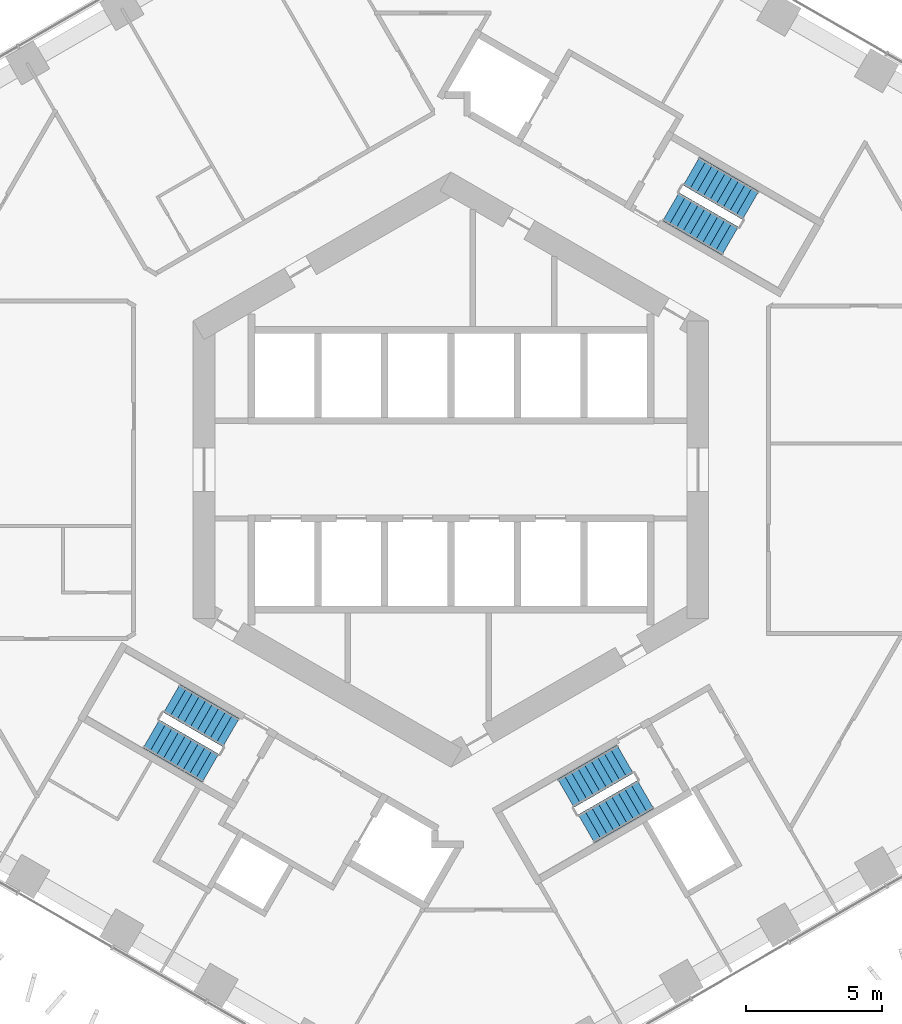
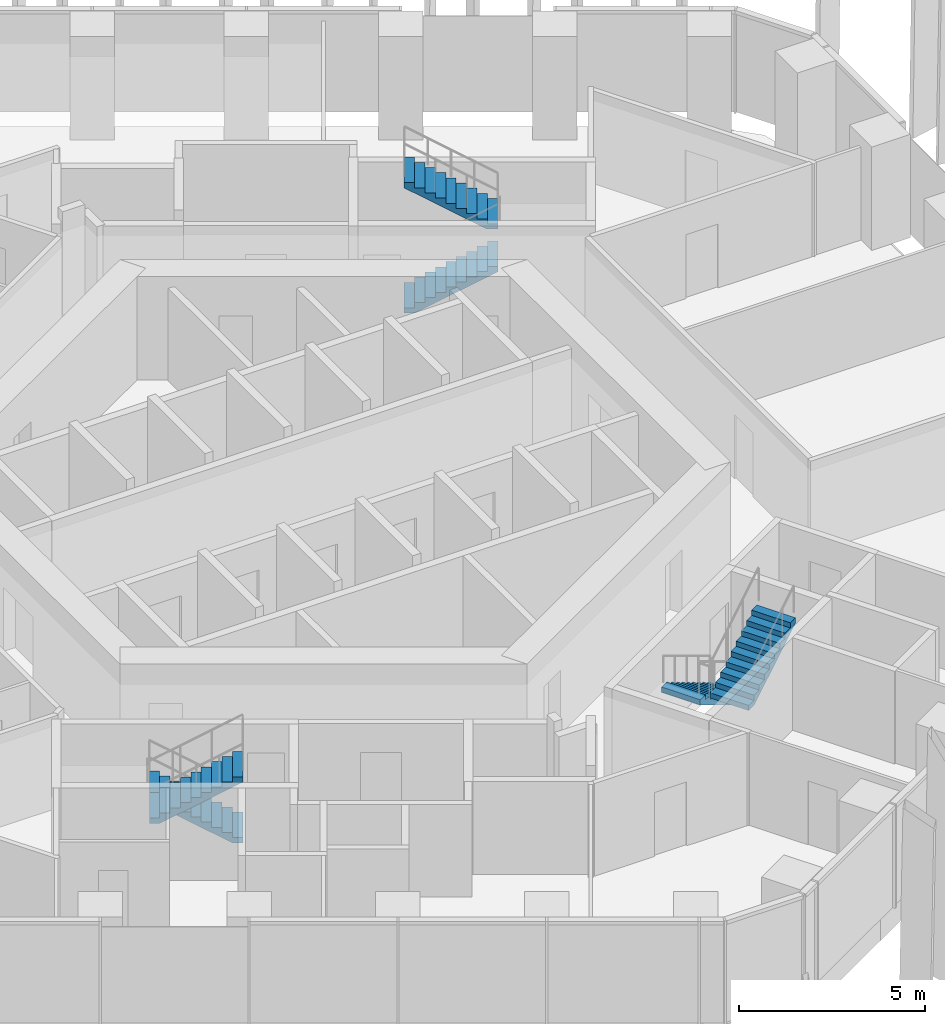
# One storey, part 17 of 20: 6 stair flights, 3 elements without a shape of their own.
"""IFC4 building model written with IfcOpenShell, lengths in metres."""

from ifc_helpers import new_model, si_unit, direction, frame, origin, place, context, subcontext, project, spatial, triangles, material, type_object, element, aggregate, save


model = new_model("IFC4")

# Units and contexts
model_context = context("Model", 3, precision=1e-05, world=origin(), true_north=direction((0.0, 1.0)))
body_context = subcontext(model_context, "Body", "Model", "MODEL_VIEW")
ifc_project = project(units=[si_unit("LENGTHUNIT", "METRE"), si_unit("AREAUNIT", "SQUARE_METRE"), si_unit("VOLUMEUNIT", "CUBIC_METRE"), si_unit("PLANEANGLEUNIT", "RADIAN"), si_unit("MASSUNIT", "GRAM", prefix="KILO")], contexts=[model_context])

# Site, building, storey
site_placement = place(None, origin())
site = spatial("IfcSite", under=ifc_project, at=site_placement, CompositionType="ELEMENT")
building_placement = place(site_placement, origin())
building = spatial("IfcBuilding", under=site, at=building_placement, Name="Ayvan Gate Tower", CompositionType="ELEMENT")
storey_placement = place(building_placement, frame((0.0, 0.0, 35.699951171875)))
storey = spatial("IfcBuildingStorey", under=building, at=storey_placement, Name="L08", CompositionType="ELEMENT", Elevation=35.699951171875)

# Stair, stair flights
ifc_material = material(Name="Concrete C40/50", Category="concrete")
stair_type = type_object("IfcStairType", Name="ST-EXIT", PredefinedType="HALF_TURN_STAIR", material=ifc_material)
stair_1_placement = place(storey_placement, origin())
stair_1 = element("IfcStair", 1, at=stair_1_placement, inside=storey, type_object=stair_type, Name="L08 Exit Stair S1", PredefinedType="HALF_TURN_STAIR")
stair_flight_type = type_object("IfcStairFlightType", Name="SFL-EXIT", PredefinedType="STRAIGHT", material=ifc_material)
stair_flight_1_placement = place(storey_placement, frame((8.106201171875, 9.690185546875, 0.0), z_axis=(0.0, 0.0, 1.0), x_axis=(0.866025403784, -0.5, 0.0)))
stair_flight_1 = element("IfcStairFlight", 2, at=stair_flight_1_placement, type_object=stair_flight_type, Name="STS1 flight 1", NumberOfRisers=10, NumberOfTreads=9, PredefinedType="STRAIGHT", RiserHeight=0.17, TreadLength=0.28, context=body_context, shape_type="Tessellation", body=[
    triangles([(0.288841, -0.599976, 0.0), (2.5205, -0.599976, 1.354936), (2.5205, -0.599976, 1.53), (2.24, -0.599976, 1.53), (2.24, -0.599976, 1.36), (1.96, -0.599976, 1.36), (1.96, -0.599976, 1.19), (1.68, -0.599976, 1.19), (1.68, -0.599976, 1.02), (1.4, -0.599976, 1.02), (1.4, -0.599976, 0.85), (1.12, -0.599976, 0.85), (1.12, -0.599976, 0.68), (0.84, -0.599976, 0.68), (0.84, -0.599976, 0.51), (0.56, -0.599976, 0.51), (0.56, -0.599976, 0.34), (0.28, -0.599976, 0.34), (0.28, -0.599976, 0.17), (-0.0005, -0.599976, 0.17), (-0.0005, -0.599976, 0.0), (0.288841, 0.0, 0.0), (2.5205, 0.0, 1.354936), (2.5205, 0.0, 1.53), (2.24, 0.0, 1.53), (2.24, 0.0, 1.36), (1.96, 0.0, 1.36), (1.96, 0.0, 1.19), (1.68, 0.0, 1.19), (1.68, 0.0, 1.02), (1.4, 0.0, 1.02), (1.4, 0.0, 0.85), (1.12, 0.0, 0.85), (1.12, 0.0, 0.68), (0.84, 0.0, 0.68), (0.84, 0.0, 0.51), (0.56, 0.0, 0.51), (0.56, 0.0, 0.34), (0.28, 0.0, 0.34), (0.28, 0.0, 0.17), (-0.0005, 0.0, 0.17), (-0.0005, 0.0, 0.0), (0.288841, 0.599976, 0.0), (2.5205, 0.599976, 1.354936), (2.5205, 0.599976, 1.53), (2.24, 0.599976, 1.53), (2.24, 0.599976, 1.36), (1.96, 0.599976, 1.36), (1.96, 0.599976, 1.19), (1.68, 0.599976, 1.19), (1.68, 0.599976, 1.02), (1.4, 0.599976, 1.02), (1.4, 0.599976, 0.85), (1.12, 0.599976, 0.85), (1.12, 0.599976, 0.68), (0.84, 0.599976, 0.68), (0.84, 0.599976, 0.51), (0.56, 0.599976, 0.51), (0.56, 0.599976, 0.34), (0.28, 0.599976, 0.34), (0.28, 0.599976, 0.17), (-0.0005, 0.599976, 0.17), (-0.0005, 0.599976, 0.0)], [[21, 1, 2], [63, 44, 43], [2, 3, 4], [44, 46, 45], [2, 4, 5], [44, 47, 46], [2, 5, 6], [44, 48, 47], [2, 6, 7], [44, 49, 48], [7, 8, 9], [49, 51, 50], [2, 7, 9], [44, 51, 49], [9, 10, 11], [51, 53, 52], [2, 9, 11], [44, 53, 51], [11, 12, 13], [53, 55, 54], [2, 11, 13], [44, 55, 53], [13, 14, 15], [55, 57, 56], [2, 13, 15], [44, 57, 55], [15, 16, 17], [57, 59, 58], [2, 15, 17], [44, 59, 57], [17, 18, 19], [59, 61, 60], [2, 17, 19], [44, 61, 59], [21, 2, 19], [63, 61, 44], [19, 20, 21], [61, 63, 62], [1, 22, 23], [1, 23, 2], [43, 23, 22], [43, 44, 23], [2, 23, 24], [2, 24, 3], [44, 24, 23], [44, 45, 24], [3, 24, 25], [3, 25, 4], [45, 25, 24], [45, 46, 25], [4, 25, 26], [4, 26, 5], [46, 26, 25], [46, 47, 26], [5, 26, 27], [5, 27, 6], [47, 27, 26], [47, 48, 27], [6, 27, 28], [6, 28, 7], [48, 28, 27], [48, 49, 28], [7, 28, 29], [7, 29, 8], [49, 29, 28], [49, 50, 29], [8, 29, 30], [8, 30, 9], [50, 30, 29], [50, 51, 30], [9, 30, 31], [9, 31, 10], [51, 31, 30], [51, 52, 31], [10, 31, 32], [10, 32, 11], [52, 32, 31], [52, 53, 32], [11, 32, 33], [11, 33, 12], [53, 33, 32], [53, 54, 33], [12, 33, 34], [12, 34, 13], [54, 34, 33], [54, 55, 34], [13, 34, 35], [13, 35, 14], [55, 35, 34], [55, 56, 35], [14, 35, 36], [14, 36, 15], [56, 36, 35], [56, 57, 36], [15, 36, 37], [15, 37, 16], [57, 37, 36], [57, 58, 37], [16, 37, 38], [16, 38, 17], [58, 38, 37], [58, 59, 38], [17, 38, 39], [17, 39, 18], [59, 39, 38], [59, 60, 39], [18, 39, 40], [18, 40, 19], [60, 40, 39], [60, 61, 40], [19, 40, 41], [19, 41, 20], [61, 41, 40], [61, 62, 41], [20, 41, 42], [20, 42, 21], [62, 42, 41], [62, 63, 42], [21, 42, 22], [21, 22, 1], [63, 22, 42], [63, 43, 22]], closed=True),
])
stair_flight_2_placement = place(storey_placement, frame((11.04345703125, 9.73779296875, 1.699951171875), z_axis=(0.0, 0.0, 1.0), x_axis=(-0.866025403784, 0.5, 0.0)))
stair_flight_2 = element("IfcStairFlight", 3, at=stair_flight_2_placement, type_object=stair_flight_type, Name="STS1 flight 2", NumberOfRisers=10, NumberOfTreads=9, PredefinedType="STRAIGHT", RiserHeight=0.17, TreadLength=0.28, context=body_context, shape_type="Tessellation", body=[
    triangles([(0.288841, -0.599976, 0.0), (2.5205, -0.599976, 1.354936), (2.5205, -0.599976, 1.53), (2.24, -0.599976, 1.53), (2.24, -0.599976, 1.36), (1.96, -0.599976, 1.36), (1.96, -0.599976, 1.19), (1.68, -0.599976, 1.19), (1.68, -0.599976, 1.02), (1.4, -0.599976, 1.02), (1.4, -0.599976, 0.85), (1.12, -0.599976, 0.85), (1.12, -0.599976, 0.68), (0.84, -0.599976, 0.68), (0.84, -0.599976, 0.51), (0.56, -0.599976, 0.51), (0.56, -0.599976, 0.34), (0.28, -0.599976, 0.34), (0.28, -0.599976, 0.17), (-0.0005, -0.599976, 0.17), (-0.0005, -0.599976, 0.0), (0.288841, 0.0, 0.0), (2.5205, 0.0, 1.354936), (2.5205, 0.0, 1.53), (2.24, 0.0, 1.53), (2.24, 0.0, 1.36), (1.96, 0.0, 1.36), (1.96, 0.0, 1.19), (1.68, 0.0, 1.19), (1.68, 0.0, 1.02), (1.4, 0.0, 1.02), (1.4, 0.0, 0.85), (1.12, 0.0, 0.85), (1.12, 0.0, 0.68), (0.84, 0.0, 0.68), (0.84, 0.0, 0.51), (0.56, 0.0, 0.51), (0.56, 0.0, 0.34), (0.28, 0.0, 0.34), (0.28, 0.0, 0.17), (-0.0005, 0.0, 0.17), (-0.0005, 0.0, 0.0), (0.288841, 0.599976, 0.0), (2.5205, 0.599976, 1.354936), (2.5205, 0.599976, 1.53), (2.24, 0.599976, 1.53), (2.24, 0.599976, 1.36), (1.96, 0.599976, 1.36), (1.96, 0.599976, 1.19), (1.68, 0.599976, 1.19), (1.68, 0.599976, 1.02), (1.4, 0.599976, 1.02), (1.4, 0.599976, 0.85), (1.12, 0.599976, 0.85), (1.12, 0.599976, 0.68), (0.84, 0.599976, 0.68), (0.84, 0.599976, 0.51), (0.56, 0.599976, 0.51), (0.56, 0.599976, 0.34), (0.28, 0.599976, 0.34), (0.28, 0.599976, 0.17), (-0.0005, 0.599976, 0.17), (-0.0005, 0.599976, 0.0)], [[21, 1, 2], [63, 44, 43], [2, 3, 4], [44, 46, 45], [2, 4, 5], [44, 47, 46], [2, 5, 6], [44, 48, 47], [2, 6, 7], [44, 49, 48], [7, 8, 9], [49, 51, 50], [2, 7, 9], [44, 51, 49], [9, 10, 11], [51, 53, 52], [2, 9, 11], [44, 53, 51], [11, 12, 13], [53, 55, 54], [2, 11, 13], [44, 55, 53], [13, 14, 15], [55, 57, 56], [2, 13, 15], [44, 57, 55], [15, 16, 17], [57, 59, 58], [2, 15, 17], [44, 59, 57], [17, 18, 19], [59, 61, 60], [2, 17, 19], [44, 61, 59], [21, 2, 19], [63, 61, 44], [19, 20, 21], [61, 63, 62], [1, 22, 23], [1, 23, 2], [43, 23, 22], [43, 44, 23], [2, 23, 24], [2, 24, 3], [44, 24, 23], [44, 45, 24], [3, 24, 25], [3, 25, 4], [45, 25, 24], [45, 46, 25], [4, 25, 26], [4, 26, 5], [46, 26, 25], [46, 47, 26], [5, 26, 27], [5, 27, 6], [47, 27, 26], [47, 48, 27], [6, 27, 28], [6, 28, 7], [48, 28, 27], [48, 49, 28], [7, 28, 29], [7, 29, 8], [49, 29, 28], [49, 50, 29], [8, 29, 30], [8, 30, 9], [50, 30, 29], [50, 51, 30], [9, 30, 31], [9, 31, 10], [51, 31, 30], [51, 52, 31], [10, 31, 32], [10, 32, 11], [52, 32, 31], [52, 53, 32], [11, 32, 33], [11, 33, 12], [53, 33, 32], [53, 54, 33], [12, 33, 34], [12, 34, 13], [54, 34, 33], [54, 55, 34], [13, 34, 35], [13, 35, 14], [55, 35, 34], [55, 56, 35], [14, 35, 36], [14, 36, 15], [56, 36, 35], [56, 57, 36], [15, 36, 37], [15, 37, 16], [57, 37, 36], [57, 58, 37], [16, 37, 38], [16, 38, 17], [58, 38, 37], [58, 59, 38], [17, 38, 39], [17, 39, 18], [59, 39, 38], [59, 60, 39], [18, 39, 40], [18, 40, 19], [60, 40, 39], [60, 61, 40], [19, 40, 41], [19, 41, 20], [61, 41, 40], [61, 62, 41], [20, 41, 42], [20, 42, 21], [62, 42, 41], [62, 63, 42], [21, 42, 22], [21, 22, 1], [63, 22, 42], [63, 43, 22]], closed=True),
])
aggregate(stair_1, [stair_flight_1, stair_flight_2])

stair_2_placement = place(storey_placement, origin())
stair_2 = element("IfcStair", 4, at=stair_2_placement, inside=storey, type_object=stair_type, Name="L08 Exit Stair S2", PredefinedType="HALF_TURN_STAIR")
stair_flight_3_placement = place(storey_placement, frame((-8.106201171875, -9.690185546875, 0.0), z_axis=(0.0, 0.0, 1.0), x_axis=(-0.866025403784, 0.5, 0.0)))
stair_flight_3 = element("IfcStairFlight", 5, at=stair_flight_3_placement, type_object=stair_flight_type, Name="STS2 flight 1", NumberOfRisers=10, NumberOfTreads=9, PredefinedType="STRAIGHT", RiserHeight=0.17, TreadLength=0.28, context=body_context, shape_type="Tessellation", body=[
    triangles([(0.288841, -0.599976, 0.0), (2.5205, -0.599976, 1.354936), (2.5205, -0.599976, 1.53), (2.24, -0.599976, 1.53), (2.24, -0.599976, 1.36), (1.96, -0.599976, 1.36), (1.96, -0.599976, 1.19), (1.68, -0.599976, 1.19), (1.68, -0.599976, 1.02), (1.4, -0.599976, 1.02), (1.4, -0.599976, 0.85), (1.12, -0.599976, 0.85), (1.12, -0.599976, 0.68), (0.84, -0.599976, 0.68), (0.84, -0.599976, 0.51), (0.56, -0.599976, 0.51), (0.56, -0.599976, 0.34), (0.28, -0.599976, 0.34), (0.28, -0.599976, 0.17), (-0.0005, -0.599976, 0.17), (-0.0005, -0.599976, 0.0), (0.288841, 0.0, 0.0), (2.5205, 0.0, 1.354936), (2.5205, 0.0, 1.53), (2.24, 0.0, 1.53), (2.24, 0.0, 1.36), (1.96, 0.0, 1.36), (1.96, 0.0, 1.19), (1.68, 0.0, 1.19), (1.68, 0.0, 1.02), (1.4, 0.0, 1.02), (1.4, 0.0, 0.85), (1.12, 0.0, 0.85), (1.12, 0.0, 0.68), (0.84, 0.0, 0.68), (0.84, 0.0, 0.51), (0.56, 0.0, 0.51), (0.56, 0.0, 0.34), (0.28, 0.0, 0.34), (0.28, 0.0, 0.17), (-0.0005, 0.0, 0.17), (-0.0005, 0.0, 0.0), (0.288841, 0.599976, 0.0), (2.5205, 0.599976, 1.354936), (2.5205, 0.599976, 1.53), (2.24, 0.599976, 1.53), (2.24, 0.599976, 1.36), (1.96, 0.599976, 1.36), (1.96, 0.599976, 1.19), (1.68, 0.599976, 1.19), (1.68, 0.599976, 1.02), (1.4, 0.599976, 1.02), (1.4, 0.599976, 0.85), (1.12, 0.599976, 0.85), (1.12, 0.599976, 0.68), (0.84, 0.599976, 0.68), (0.84, 0.599976, 0.51), (0.56, 0.599976, 0.51), (0.56, 0.599976, 0.34), (0.28, 0.599976, 0.34), (0.28, 0.599976, 0.17), (-0.0005, 0.599976, 0.17), (-0.0005, 0.599976, 0.0)], [[21, 1, 2], [63, 44, 43], [2, 3, 4], [44, 46, 45], [2, 4, 5], [44, 47, 46], [2, 5, 6], [44, 48, 47], [2, 6, 7], [44, 49, 48], [7, 8, 9], [49, 51, 50], [2, 7, 9], [44, 51, 49], [9, 10, 11], [51, 53, 52], [2, 9, 11], [44, 53, 51], [11, 12, 13], [53, 55, 54], [2, 11, 13], [44, 55, 53], [13, 14, 15], [55, 57, 56], [2, 13, 15], [44, 57, 55], [15, 16, 17], [57, 59, 58], [2, 15, 17], [44, 59, 57], [17, 18, 19], [59, 61, 60], [2, 17, 19], [44, 61, 59], [21, 2, 19], [63, 61, 44], [19, 20, 21], [61, 63, 62], [1, 22, 23], [1, 23, 2], [43, 23, 22], [43, 44, 23], [2, 23, 24], [2, 24, 3], [44, 24, 23], [44, 45, 24], [3, 24, 25], [3, 25, 4], [45, 25, 24], [45, 46, 25], [4, 25, 26], [4, 26, 5], [46, 26, 25], [46, 47, 26], [5, 26, 27], [5, 27, 6], [47, 27, 26], [47, 48, 27], [6, 27, 28], [6, 28, 7], [48, 28, 27], [48, 49, 28], [7, 28, 29], [7, 29, 8], [49, 29, 28], [49, 50, 29], [8, 29, 30], [8, 30, 9], [50, 30, 29], [50, 51, 30], [9, 30, 31], [9, 31, 10], [51, 31, 30], [51, 52, 31], [10, 31, 32], [10, 32, 11], [52, 32, 31], [52, 53, 32], [11, 32, 33], [11, 33, 12], [53, 33, 32], [53, 54, 33], [12, 33, 34], [12, 34, 13], [54, 34, 33], [54, 55, 34], [13, 34, 35], [13, 35, 14], [55, 35, 34], [55, 56, 35], [14, 35, 36], [14, 36, 15], [56, 36, 35], [56, 57, 36], [15, 36, 37], [15, 37, 16], [57, 37, 36], [57, 58, 37], [16, 37, 38], [16, 38, 17], [58, 38, 37], [58, 59, 38], [17, 38, 39], [17, 39, 18], [59, 39, 38], [59, 60, 39], [18, 39, 40], [18, 40, 19], [60, 40, 39], [60, 61, 40], [19, 40, 41], [19, 41, 20], [61, 41, 40], [61, 62, 41], [20, 41, 42], [20, 42, 21], [62, 42, 41], [62, 63, 42], [21, 42, 22], [21, 22, 1], [63, 22, 42], [63, 43, 22]], closed=True),
])
stair_flight_4_placement = place(storey_placement, frame((-11.04345703125, -9.73779296875, 1.699951171875), z_axis=(0.0, 0.0, 1.0), x_axis=(0.866025403784, -0.5, 0.0)))
stair_flight_4 = element("IfcStairFlight", 6, at=stair_flight_4_placement, type_object=stair_flight_type, Name="STS2 flight 2", NumberOfRisers=10, NumberOfTreads=9, PredefinedType="STRAIGHT", RiserHeight=0.17, TreadLength=0.28, context=body_context, shape_type="Tessellation", body=[
    triangles([(0.288841, -0.599976, 0.0), (2.5205, -0.599976, 1.354936), (2.5205, -0.599976, 1.53), (2.24, -0.599976, 1.53), (2.24, -0.599976, 1.36), (1.96, -0.599976, 1.36), (1.96, -0.599976, 1.19), (1.68, -0.599976, 1.19), (1.68, -0.599976, 1.02), (1.4, -0.599976, 1.02), (1.4, -0.599976, 0.85), (1.12, -0.599976, 0.85), (1.12, -0.599976, 0.68), (0.84, -0.599976, 0.68), (0.84, -0.599976, 0.51), (0.56, -0.599976, 0.51), (0.56, -0.599976, 0.34), (0.28, -0.599976, 0.34), (0.28, -0.599976, 0.17), (-0.0005, -0.599976, 0.17), (-0.0005, -0.599976, 0.0), (0.288841, 0.0, 0.0), (2.5205, 0.0, 1.354936), (2.5205, 0.0, 1.53), (2.24, 0.0, 1.53), (2.24, 0.0, 1.36), (1.96, 0.0, 1.36), (1.96, 0.0, 1.19), (1.68, 0.0, 1.19), (1.68, 0.0, 1.02), (1.4, 0.0, 1.02), (1.4, 0.0, 0.85), (1.12, 0.0, 0.85), (1.12, 0.0, 0.68), (0.84, 0.0, 0.68), (0.84, 0.0, 0.51), (0.56, 0.0, 0.51), (0.56, 0.0, 0.34), (0.28, 0.0, 0.34), (0.28, 0.0, 0.17), (-0.0005, 0.0, 0.17), (-0.0005, 0.0, 0.0), (0.288841, 0.599976, 0.0), (2.5205, 0.599976, 1.354936), (2.5205, 0.599976, 1.53), (2.24, 0.599976, 1.53), (2.24, 0.599976, 1.36), (1.96, 0.599976, 1.36), (1.96, 0.599976, 1.19), (1.68, 0.599976, 1.19), (1.68, 0.599976, 1.02), (1.4, 0.599976, 1.02), (1.4, 0.599976, 0.85), (1.12, 0.599976, 0.85), (1.12, 0.599976, 0.68), (0.84, 0.599976, 0.68), (0.84, 0.599976, 0.51), (0.56, 0.599976, 0.51), (0.56, 0.599976, 0.34), (0.28, 0.599976, 0.34), (0.28, 0.599976, 0.17), (-0.0005, 0.599976, 0.17), (-0.0005, 0.599976, 0.0)], [[21, 1, 2], [63, 44, 43], [2, 3, 4], [44, 46, 45], [2, 4, 5], [44, 47, 46], [2, 5, 6], [44, 48, 47], [2, 6, 7], [44, 49, 48], [7, 8, 9], [49, 51, 50], [2, 7, 9], [44, 51, 49], [9, 10, 11], [51, 53, 52], [2, 9, 11], [44, 53, 51], [11, 12, 13], [53, 55, 54], [2, 11, 13], [44, 55, 53], [13, 14, 15], [55, 57, 56], [2, 13, 15], [44, 57, 55], [15, 16, 17], [57, 59, 58], [2, 15, 17], [44, 59, 57], [17, 18, 19], [59, 61, 60], [2, 17, 19], [44, 61, 59], [21, 2, 19], [63, 61, 44], [19, 20, 21], [61, 63, 62], [1, 22, 23], [1, 23, 2], [43, 23, 22], [43, 44, 23], [2, 23, 24], [2, 24, 3], [44, 24, 23], [44, 45, 24], [3, 24, 25], [3, 25, 4], [45, 25, 24], [45, 46, 25], [4, 25, 26], [4, 26, 5], [46, 26, 25], [46, 47, 26], [5, 26, 27], [5, 27, 6], [47, 27, 26], [47, 48, 27], [6, 27, 28], [6, 28, 7], [48, 28, 27], [48, 49, 28], [7, 28, 29], [7, 29, 8], [49, 29, 28], [49, 50, 29], [8, 29, 30], [8, 30, 9], [50, 30, 29], [50, 51, 30], [9, 30, 31], [9, 31, 10], [51, 31, 30], [51, 52, 31], [10, 31, 32], [10, 32, 11], [52, 32, 31], [52, 53, 32], [11, 32, 33], [11, 33, 12], [53, 33, 32], [53, 54, 33], [12, 33, 34], [12, 34, 13], [54, 34, 33], [54, 55, 34], [13, 34, 35], [13, 35, 14], [55, 35, 34], [55, 56, 35], [14, 35, 36], [14, 36, 15], [56, 36, 35], [56, 57, 36], [15, 36, 37], [15, 37, 16], [57, 37, 36], [57, 58, 37], [16, 37, 38], [16, 38, 17], [58, 38, 37], [58, 59, 38], [17, 38, 39], [17, 39, 18], [59, 39, 38], [59, 60, 39], [18, 39, 40], [18, 40, 19], [60, 40, 39], [60, 61, 40], [19, 40, 41], [19, 41, 20], [61, 41, 40], [61, 62, 41], [20, 41, 42], [20, 42, 21], [62, 42, 41], [62, 63, 42], [21, 42, 22], [21, 22, 1], [63, 22, 42], [63, 43, 22]], closed=True),
])
aggregate(stair_2, [stair_flight_3, stair_flight_4])

stair_3_placement = place(storey_placement, origin())
stair_3 = element("IfcStair", 7, at=stair_3_placement, inside=storey, type_object=stair_type, Name="L08 Exit Stair S3", PredefinedType="HALF_TURN_STAIR")
stair_flight_5_placement = place(storey_placement, frame((6.417236328125, -10.665283203125, 0.0), z_axis=(0.0, 0.0, 1.0), x_axis=(-0.866025403784, -0.5, 0.0)))
stair_flight_5 = element("IfcStairFlight", 8, at=stair_flight_5_placement, type_object=stair_flight_type, Name="STS3 flight 1", NumberOfRisers=10, NumberOfTreads=9, PredefinedType="STRAIGHT", RiserHeight=0.17, TreadLength=0.28, context=body_context, shape_type="Tessellation", body=[
    triangles([(0.288841, -0.599976, 0.0), (2.5205, -0.599976, 1.354936), (2.5205, -0.599976, 1.53), (2.24, -0.599976, 1.53), (2.24, -0.599976, 1.36), (1.96, -0.599976, 1.36), (1.96, -0.599976, 1.19), (1.68, -0.599976, 1.19), (1.68, -0.599976, 1.02), (1.4, -0.599976, 1.02), (1.4, -0.599976, 0.85), (1.12, -0.599976, 0.85), (1.12, -0.599976, 0.68), (0.84, -0.599976, 0.68), (0.84, -0.599976, 0.51), (0.56, -0.599976, 0.51), (0.56, -0.599976, 0.34), (0.28, -0.599976, 0.34), (0.28, -0.599976, 0.17), (-0.0005, -0.599976, 0.17), (-0.0005, -0.599976, 0.0), (0.288841, 0.0, 0.0), (2.5205, 0.0, 1.354936), (2.5205, 0.0, 1.53), (2.24, 0.0, 1.53), (2.24, 0.0, 1.36), (1.96, 0.0, 1.36), (1.96, 0.0, 1.19), (1.68, 0.0, 1.19), (1.68, 0.0, 1.02), (1.4, 0.0, 1.02), (1.4, 0.0, 0.85), (1.12, 0.0, 0.85), (1.12, 0.0, 0.68), (0.84, 0.0, 0.68), (0.84, 0.0, 0.51), (0.56, 0.0, 0.51), (0.56, 0.0, 0.34), (0.28, 0.0, 0.34), (0.28, 0.0, 0.17), (-0.0005, 0.0, 0.17), (-0.0005, 0.0, 0.0), (0.288841, 0.599976, 0.0), (2.5205, 0.599976, 1.354936), (2.5205, 0.599976, 1.53), (2.24, 0.599976, 1.53), (2.24, 0.599976, 1.36), (1.96, 0.599976, 1.36), (1.96, 0.599976, 1.19), (1.68, 0.599976, 1.19), (1.68, 0.599976, 1.02), (1.4, 0.599976, 1.02), (1.4, 0.599976, 0.85), (1.12, 0.599976, 0.85), (1.12, 0.599976, 0.68), (0.84, 0.599976, 0.68), (0.84, 0.599976, 0.51), (0.56, 0.599976, 0.51), (0.56, 0.599976, 0.34), (0.28, 0.599976, 0.34), (0.28, 0.599976, 0.17), (-0.0005, 0.599976, 0.17), (-0.0005, 0.599976, 0.0)], [[21, 1, 2], [63, 44, 43], [2, 3, 4], [44, 46, 45], [2, 4, 5], [44, 47, 46], [2, 5, 6], [44, 48, 47], [2, 6, 7], [44, 49, 48], [7, 8, 9], [49, 51, 50], [2, 7, 9], [44, 51, 49], [9, 10, 11], [51, 53, 52], [2, 9, 11], [44, 53, 51], [11, 12, 13], [53, 55, 54], [2, 11, 13], [44, 55, 53], [13, 14, 15], [55, 57, 56], [2, 13, 15], [44, 57, 55], [15, 16, 17], [57, 59, 58], [2, 15, 17], [44, 59, 57], [17, 18, 19], [59, 61, 60], [2, 17, 19], [44, 61, 59], [21, 2, 19], [63, 61, 44], [19, 20, 21], [61, 63, 62], [1, 22, 23], [1, 23, 2], [43, 23, 22], [43, 44, 23], [2, 23, 24], [2, 24, 3], [44, 24, 23], [44, 45, 24], [3, 24, 25], [3, 25, 4], [45, 25, 24], [45, 46, 25], [4, 25, 26], [4, 26, 5], [46, 26, 25], [46, 47, 26], [5, 26, 27], [5, 27, 6], [47, 27, 26], [47, 48, 27], [6, 27, 28], [6, 28, 7], [48, 28, 27], [48, 49, 28], [7, 28, 29], [7, 29, 8], [49, 29, 28], [49, 50, 29], [8, 29, 30], [8, 30, 9], [50, 30, 29], [50, 51, 30], [9, 30, 31], [9, 31, 10], [51, 31, 30], [51, 52, 31], [10, 31, 32], [10, 32, 11], [52, 32, 31], [52, 53, 32], [11, 32, 33], [11, 33, 12], [53, 33, 32], [53, 54, 33], [12, 33, 34], [12, 34, 13], [54, 34, 33], [54, 55, 34], [13, 34, 35], [13, 35, 14], [55, 35, 34], [55, 56, 35], [14, 35, 36], [14, 36, 15], [56, 36, 35], [56, 57, 36], [15, 36, 37], [15, 37, 16], [57, 37, 36], [57, 58, 37], [16, 37, 38], [16, 38, 17], [58, 38, 37], [58, 59, 38], [17, 38, 39], [17, 39, 18], [59, 39, 38], [59, 60, 39], [18, 39, 40], [18, 40, 19], [60, 40, 39], [60, 61, 40], [19, 40, 41], [19, 41, 20], [61, 41, 40], [61, 62, 41], [20, 41, 42], [20, 42, 21], [62, 42, 41], [62, 63, 42], [21, 42, 22], [21, 22, 1], [63, 22, 42], [63, 43, 22]], closed=True),
])
stair_flight_6_placement = place(storey_placement, frame((4.989990234375, -13.23291015625, 1.699951171875), z_axis=(0.0, 0.0, 1.0), x_axis=(0.866025403784, 0.5, 0.0)))
stair_flight_6 = element("IfcStairFlight", 9, at=stair_flight_6_placement, type_object=stair_flight_type, Name="STS3 flight 2", NumberOfRisers=10, NumberOfTreads=9, PredefinedType="STRAIGHT", RiserHeight=0.17, TreadLength=0.28, context=body_context, shape_type="Tessellation", body=[
    triangles([(0.288841, -0.599976, 0.0), (2.5205, -0.599976, 1.354936), (2.5205, -0.599976, 1.53), (2.24, -0.599976, 1.53), (2.24, -0.599976, 1.36), (1.96, -0.599976, 1.36), (1.96, -0.599976, 1.19), (1.68, -0.599976, 1.19), (1.68, -0.599976, 1.02), (1.4, -0.599976, 1.02), (1.4, -0.599976, 0.85), (1.12, -0.599976, 0.85), (1.12, -0.599976, 0.68), (0.84, -0.599976, 0.68), (0.84, -0.599976, 0.51), (0.56, -0.599976, 0.51), (0.56, -0.599976, 0.34), (0.28, -0.599976, 0.34), (0.28, -0.599976, 0.17), (-0.0005, -0.599976, 0.17), (-0.0005, -0.599976, 0.0), (0.288841, 0.0, 0.0), (2.5205, 0.0, 1.354936), (2.5205, 0.0, 1.53), (2.24, 0.0, 1.53), (2.24, 0.0, 1.36), (1.96, 0.0, 1.36), (1.96, 0.0, 1.19), (1.68, 0.0, 1.19), (1.68, 0.0, 1.02), (1.4, 0.0, 1.02), (1.4, 0.0, 0.85), (1.12, 0.0, 0.85), (1.12, 0.0, 0.68), (0.84, 0.0, 0.68), (0.84, 0.0, 0.51), (0.56, 0.0, 0.51), (0.56, 0.0, 0.34), (0.28, 0.0, 0.34), (0.28, 0.0, 0.17), (-0.0005, 0.0, 0.17), (-0.0005, 0.0, 0.0), (0.288841, 0.599976, 0.0), (2.5205, 0.599976, 1.354936), (2.5205, 0.599976, 1.53), (2.24, 0.599976, 1.53), (2.24, 0.599976, 1.36), (1.96, 0.599976, 1.36), (1.96, 0.599976, 1.19), (1.68, 0.599976, 1.19), (1.68, 0.599976, 1.02), (1.4, 0.599976, 1.02), (1.4, 0.599976, 0.85), (1.12, 0.599976, 0.85), (1.12, 0.599976, 0.68), (0.84, 0.599976, 0.68), (0.84, 0.599976, 0.51), (0.56, 0.599976, 0.51), (0.56, 0.599976, 0.34), (0.28, 0.599976, 0.34), (0.28, 0.599976, 0.17), (-0.0005, 0.599976, 0.17), (-0.0005, 0.599976, 0.0)], [[21, 1, 2], [63, 44, 43], [2, 3, 4], [44, 46, 45], [2, 4, 5], [44, 47, 46], [2, 5, 6], [44, 48, 47], [2, 6, 7], [44, 49, 48], [7, 8, 9], [49, 51, 50], [2, 7, 9], [44, 51, 49], [9, 10, 11], [51, 53, 52], [2, 9, 11], [44, 53, 51], [11, 12, 13], [53, 55, 54], [2, 11, 13], [44, 55, 53], [13, 14, 15], [55, 57, 56], [2, 13, 15], [44, 57, 55], [15, 16, 17], [57, 59, 58], [2, 15, 17], [44, 59, 57], [17, 18, 19], [59, 61, 60], [2, 17, 19], [44, 61, 59], [21, 2, 19], [63, 61, 44], [19, 20, 21], [61, 63, 62], [1, 22, 23], [1, 23, 2], [43, 23, 22], [43, 44, 23], [2, 23, 24], [2, 24, 3], [44, 24, 23], [44, 45, 24], [3, 24, 25], [3, 25, 4], [45, 25, 24], [45, 46, 25], [4, 25, 26], [4, 26, 5], [46, 26, 25], [46, 47, 26], [5, 26, 27], [5, 27, 6], [47, 27, 26], [47, 48, 27], [6, 27, 28], [6, 28, 7], [48, 28, 27], [48, 49, 28], [7, 28, 29], [7, 29, 8], [49, 29, 28], [49, 50, 29], [8, 29, 30], [8, 30, 9], [50, 30, 29], [50, 51, 30], [9, 30, 31], [9, 31, 10], [51, 31, 30], [51, 52, 31], [10, 31, 32], [10, 32, 11], [52, 32, 31], [52, 53, 32], [11, 32, 33], [11, 33, 12], [53, 33, 32], [53, 54, 33], [12, 33, 34], [12, 34, 13], [54, 34, 33], [54, 55, 34], [13, 34, 35], [13, 35, 14], [55, 35, 34], [55, 56, 35], [14, 35, 36], [14, 36, 15], [56, 36, 35], [56, 57, 36], [15, 36, 37], [15, 37, 16], [57, 37, 36], [57, 58, 37], [16, 37, 38], [16, 38, 17], [58, 38, 37], [58, 59, 38], [17, 38, 39], [17, 39, 18], [59, 39, 38], [59, 60, 39], [18, 39, 40], [18, 40, 19], [60, 40, 39], [60, 61, 40], [19, 40, 41], [19, 41, 20], [61, 41, 40], [61, 62, 41], [20, 41, 42], [20, 42, 21], [62, 42, 41], [62, 63, 42], [21, 42, 22], [21, 22, 1], [63, 22, 42], [63, 43, 22]], closed=True),
])
aggregate(stair_3, [stair_flight_5, stair_flight_6])

save(model, "model.ifc")
